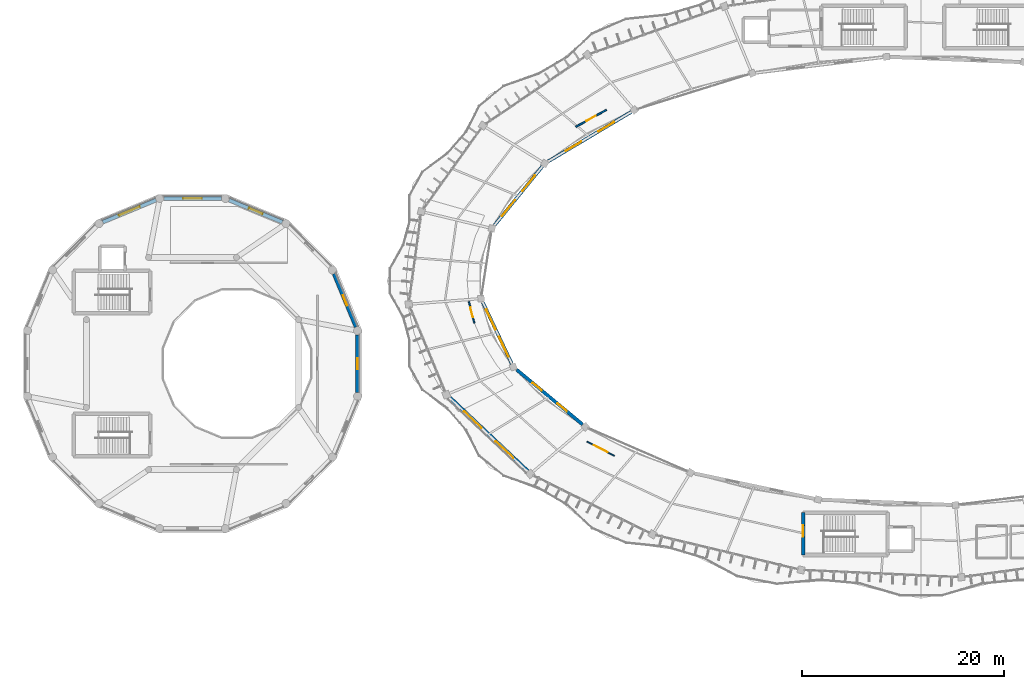
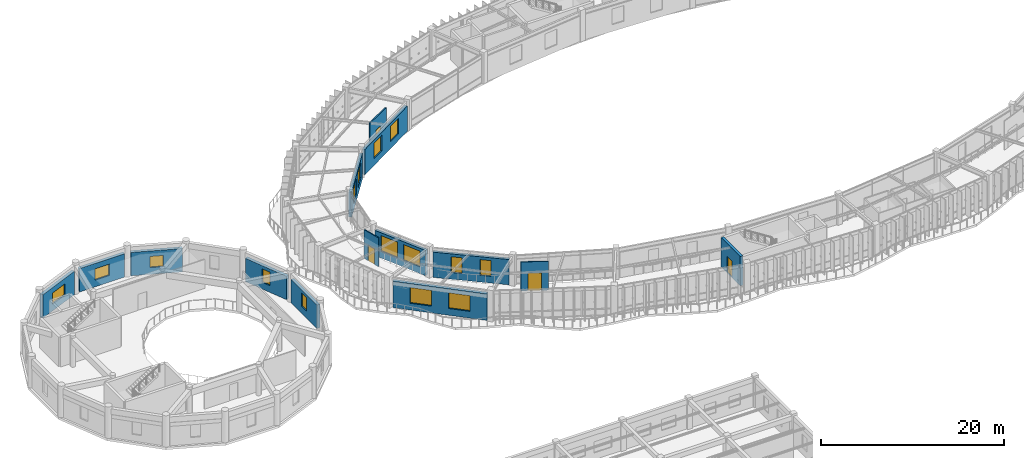
# One storey, part 114 of 138: 15 windows, 14 walls, 4 doors, 19 openings.
"""IFC4 building model written with IfcOpenShell, lengths in metres."""

import ifcopenshell
import ifcopenshell.guid

model = None  # the IFC model being written
_history = None  # IfcOwnerHistory: only IFC2X3 demands one
_inside = {}  # id of a spatial element -> (the spatial element, [elements in it])
_under = {}  # id of a project, library or spatial element -> (it, [spatial elements below it])
_declared = {}  # id of a project -> (the project, [libraries it declares])
_typed = {}  # id of a type object -> (the type object, [elements of that type])
_made_of = {}  # id of a material, layer set ... -> (it, [elements and type objects made of it])


def new_model(schema):
    """Start an empty IFC model of exactly this schema.

    Asked for "IFC4X3", IfcOpenShell would pick the latest addendum, in which some entities
    have other attributes; the version numbers below select the first issue.
    IFC2X3 requires an IfcOwnerHistory on every rooted entity: one is made here for all.
    """
    global model, _history
    if schema == "IFC4X3":
        model = ifcopenshell.file(schema_version=(4, 3, 0, 0))
    else:
        model = ifcopenshell.file(schema=schema)
    _inside.clear()
    _under.clear()
    _declared.clear()
    _typed.clear()
    _made_of.clear()
    _history = None
    if model.schema == "IFC2X3":
        org = make("IfcOrganization", Name="unknown")
        user = make(
            "IfcPersonAndOrganization",
            ThePerson=make("IfcPerson", FamilyName="unknown"),
            TheOrganization=org,
        )
        app = make(
            "IfcApplication",
            ApplicationDeveloper=org,
            Version="unknown",
            ApplicationFullName="unknown",
            ApplicationIdentifier="unknown",
        )
        _history = make(
            "IfcOwnerHistory",
            OwningUser=user,
            OwningApplication=app,
            ChangeAction="ADDED",
            CreationDate=0,
        )
    return model


def make(cls, **values):
    """One entity of the class cls with the attributes given. An attribute that is None is left unset."""
    return model.create_entity(
        cls, **{name: value for name, value in values.items() if value is not None}
    )


def rooted(cls, **values):
    """An entity with a GlobalId (a new one), such as an element, a storey or a relation."""
    return make(cls, GlobalId=ifcopenshell.guid.new(), OwnerHistory=_history, **values)


def si_unit(unit_type, name, prefix=None):
    """IfcSIUnit, for example si_unit("LENGTHUNIT", "METRE", prefix="MILLI")."""
    return make("IfcSIUnit", UnitType=unit_type, Prefix=prefix, Name=name)


def assignment(units):
    """IfcUnitAssignment: the units of a project."""
    return None if units is None else make("IfcUnitAssignment", Units=units)


def point(xyz):
    """IfcCartesianPoint."""
    return None if xyz is None else make("IfcCartesianPoint", Coordinates=xyz)


def direction(xyz):
    """IfcDirection."""
    return None if xyz is None else make("IfcDirection", DirectionRatios=xyz)


def frame(location, z_axis=None, x_axis=None):
    """IfcAxis2Placement3D, a coordinate frame: its origin and axes. An axis left out is left unset."""
    return make(
        "IfcAxis2Placement3D",
        Location=point(location),
        Axis=direction(z_axis),
        RefDirection=direction(x_axis),
    )


def frame_2d(location, x_axis=None):
    """IfcAxis2Placement2D, a coordinate frame in the plane: its origin and x axis."""
    return make(
        "IfcAxis2Placement2D", Location=point(location), RefDirection=direction(x_axis)
    )


def origin():
    """The frame at (0, 0, 0) with its axes left unset."""
    return frame((0.0, 0.0, 0.0))


def place(relative_to, where):
    """IfcLocalPlacement: puts the frame where relative to a parent placement (None: the world)."""
    return make(
        "IfcLocalPlacement", PlacementRelTo=relative_to, RelativePlacement=where
    )


def context(
    kind, dimensions, precision=None, world=None, true_north=None, identifier=None
):
    """IfcGeometricRepresentationContext, for example the 3D "Model" context."""
    return make(
        "IfcGeometricRepresentationContext",
        ContextIdentifier=identifier,
        ContextType=kind,
        CoordinateSpaceDimension=dimensions,
        Precision=precision,
        WorldCoordinateSystem=world,
        TrueNorth=true_north,
    )


def subcontext(parent, identifier, kind, view, scale=None):
    """IfcGeometricRepresentationSubContext, for example "Body" below "Model"."""
    return make(
        "IfcGeometricRepresentationSubContext",
        ContextIdentifier=identifier,
        ContextType=kind,
        ParentContext=parent,
        TargetScale=scale,
        TargetView=view,
    )


def project(units=None, contexts=None):
    """IfcProject with its units and contexts."""
    return rooted(
        "IfcProject",
        Name="project",
        RepresentationContexts=contexts,
        UnitsInContext=assignment(units),
    )


def spatial(cls, under=None, at=None, **own):
    """A site, building, storey or space (cls), placed at a placement, below another one or the project."""
    s = rooted(cls, ObjectPlacement=at, **own)
    if under is not None:
        _under.setdefault(under.id(), (under, []))[1].append(s)
    return s


def profile(cls, at=None, kind="AREA", **sizes):
    """A parametric profile (cls). Its sizes go by their IFC names, for example OverallWidth=200.0."""
    return make(cls, ProfileType=kind, Position=at, **sizes)


def rectangle(**sizes):
    """IfcRectangleProfileDef."""
    return profile("IfcRectangleProfileDef", **sizes)


def extrude(swept, where, along, depth):
    """IfcExtrudedAreaSolid: the profile swept, set in the frame where, extruded along a direction by depth."""
    return make(
        "IfcExtrudedAreaSolid",
        SweptArea=swept,
        Position=where,
        ExtrudedDirection=direction(along),
        Depth=depth,
    )


def shape(context_of_items, identifier, shape_type, items):
    """IfcShapeRepresentation: the items that make up one representation, for example the "Body"."""
    return make(
        "IfcShapeRepresentation",
        ContextOfItems=context_of_items,
        RepresentationIdentifier=identifier,
        RepresentationType=shape_type,
        Items=items,
    )


def material(Name=None, Category=None):
    """IfcMaterial."""
    return make("IfcMaterial", Name=Name, Category=Category)


def layer(
    of_material, thickness, ventilated=None, Name=None, Category=None, Priority=None
):
    """IfcMaterialLayer: one layer of a wall or slab, of a material (None: an air gap)."""
    return make(
        "IfcMaterialLayer",
        Material=of_material,
        LayerThickness=thickness,
        IsVentilated=ventilated,
        Name=Name,
        Category=Category,
        Priority=Priority,
    )


def layer_set(layers, Name=None):
    """IfcMaterialLayerSet."""
    return make("IfcMaterialLayerSet", MaterialLayers=layers, LayerSetName=Name)


def made_of(thing, what):
    """Note that an element or type object is made of a material, layer set ...; save() writes the relation."""
    if what is not None:
        _made_of.setdefault(what.id(), (what, []))[1].append(thing)
    return thing


def type_object(cls, material=None, **own):
    """A type object (cls), such as IfcWallType, which elements share."""
    return made_of(rooted(cls, **own), material)


def element(
    cls,
    number,
    at=None,
    inside=None,
    cuts=None,
    type_object=None,
    material=None,
    context=None,
    identifier="Body",
    shape_type=None,
    held_by="IfcProductDefinitionShape",
    body=None,
    shapes=None,
    **own,
):
    """One element of the class cls, such as IfcWall. Its Tag is "e" and its number.

    at: its placement. inside: the storey or other place that contains it. cuts: it is an
    opening in that element (IfcRelVoidsElement). A single representation is given by context,
    identifier, shape_type and body (its items); several are given by shapes. held_by: the class
    of the entity that holds the representations. save() writes the other relations.
    """
    e = rooted(cls, Tag="e%d" % number, ObjectPlacement=at, **own)
    if body is not None:
        shapes = [shape(context, identifier, shape_type, body)]
    if shapes is not None:
        e.Representation = make(held_by, Representations=shapes)
    if inside is not None:
        _inside.setdefault(inside.id(), (inside, []))[1].append(e)
    if cuts is not None:
        rooted(
            "IfcRelVoidsElement", RelatingBuildingElement=cuts, RelatedOpeningElement=e
        )
    if type_object is not None:
        _typed.setdefault(type_object.id(), (type_object, []))[1].append(e)
    return made_of(e, material)


def fill(opening, filler):
    """IfcRelFillsElement: the door or window that sits in an opening."""
    return rooted(
        "IfcRelFillsElement",
        RelatingOpeningElement=opening,
        RelatedBuildingElement=filler,
    )


def aggregate(whole, parts):
    """IfcRelAggregates: a whole, such as a stair, and the parts it consists of."""
    return rooted("IfcRelAggregates", RelatingObject=whole, RelatedObjects=parts)


def save(model, path):
    """Write the relations noted so far, then the file.

    IfcRelAggregates (storeys below a building ...), IfcRelContainedInSpatialStructure (elements
    in a storey), IfcRelDefinesByType, IfcRelAssociatesMaterial and IfcRelDeclares: one each for
    every whole, place, type object, material and project.
    """
    for whole, parts in _under.values():
        aggregate(whole, parts)
    for where, things in _inside.values():
        rooted(
            "IfcRelContainedInSpatialStructure",
            RelatedElements=things,
            RelatingStructure=where,
        )
    for kind, things in _typed.values():
        rooted("IfcRelDefinesByType", RelatedObjects=things, RelatingType=kind)
    for what, things in _made_of.values():
        rooted("IfcRelAssociatesMaterial", RelatedObjects=things, RelatingMaterial=what)
    for by, libraries in _declared.values():
        rooted("IfcRelDeclares", RelatingContext=by, RelatedDefinitions=libraries)
    model.write(path)


model = new_model("IFC4")

# Units and contexts
model_context = context("Model", 3, precision=1e-05, world=origin(), true_north=direction((0.0, 1.0)))
body_context = subcontext(model_context, "Body", "Model", "MODEL_VIEW")
ifc_project = project(units=[si_unit("LENGTHUNIT", "METRE"), si_unit("AREAUNIT", "SQUARE_METRE"), si_unit("VOLUMEUNIT", "CUBIC_METRE"), si_unit("PLANEANGLEUNIT", "RADIAN"), si_unit("MASSUNIT", "GRAM", prefix="KILO"), si_unit("THERMODYNAMICTEMPERATUREUNIT", "KELVIN"), si_unit("POWERUNIT", "WATT")], contexts=[model_context])

# Site, building, storey
site_placement = place(None, origin())
site = spatial("IfcSite", under=ifc_project, at=site_placement, CompositionType="ELEMENT")
building_placement = place(site_placement, origin())
building = spatial("IfcBuilding", under=site, at=building_placement, Name="Darbajah Civic Hall", CompositionType="ELEMENT")
storey_placement = place(building_placement, frame((0.0, 0.0, 9.60009765625)))
storey = spatial("IfcBuildingStorey", under=building, at=storey_placement, Name="L02", CompositionType="ELEMENT", Elevation=9.60009765625)

# Wall, opening, door
ifc_material_1 = material(Name="Concrete C50/60", Category="concrete")
ifc_layer_1 = layer(ifc_material_1, 0.35009765625, Name="Concrete C50/60")
ifc_layer_set_1 = layer_set([ifc_layer_1], Name="Concrete C50/60")
wall_type_1 = type_object("IfcWallType", Name="Core Shear Wall 350mm", PredefinedType="SHEAR", material=ifc_layer_set_1)
wall_1_placement = place(storey_placement, frame((77.39990234375, 66.800048828125, 0.0), z_axis=(0.0, 0.0, 1.0), x_axis=(0.0, -1.0, 0.0)))
wall_1 = element("IfcWall", 1, at=wall_1_placement, inside=storey, type_object=wall_type_1, Name="L02 core C03 shear wall W", PredefinedType="SHEAR", context=body_context, shape_type="SweptSolid", body=[
    extrude(rectangle(XDim=4.199951171875, YDim=0.35009765625, at=frame_2d((2.10009765625, 0.0))), origin(), (0.0, 0.0, 1.0), 3.919921875),
])
opening_1_placement = place(wall_1_placement, frame((1.25, 0.0, 0.0)))
opening_1 = element("IfcOpeningElement", 2, at=opening_1_placement, cuts=wall_1, Name="Opening SD-0045", PredefinedType="OPENING", context=body_context, shape_type="SweptSolid", body=[
    extrude(rectangle(XDim=1.14990234375, YDim=2.199951171875, at=frame_2d((0.574951171875, 1.10009765625))), frame((0.0, 0.18505859375, 0.0), z_axis=(0.0, -1.0, 0.0), x_axis=(1.0, 0.0, 0.0)), (0.0, 0.0, 1.0), 0.3701171875),
])
ifc_material_2 = material(Name="Steel Rated Core Door", Category="steel")
door_type_1 = type_object("IfcDoorType", Name="Interior Door 1150x2200", OperationType="NOTDEFINED", PredefinedType="DOOR", material=ifc_material_2)
door_1_placement = place(opening_1_placement, origin())
door_1 = element("IfcDoor", 3, at=door_1_placement, inside=storey, type_object=door_type_1, Name="L02 stair ST03 fire door SD-0045", OperationType="SINGLE_SWING_RIGHT", OverallHeight=2.199951171875, OverallWidth=1.14990234375, PredefinedType="DOOR", context=body_context, shape_type="SweptSolid", body=[
    extrude(rectangle(XDim=1.14990234375, YDim=2.199951171875, at=frame_2d((0.574951171875, 1.10009765625))), frame((0.0, 0.02490234375, 0.0), z_axis=(0.0, -1.0, 0.0), x_axis=(1.0, 0.0, 0.0)), (0.0, 0.0, 1.0), 0.050048828125),
])
fill(opening_1, door_1)

# Wall, openings, windows
ifc_material_3 = material(Name="Qatari Desert Limestone Ashlar", Category="masonry")
ifc_layer_2 = layer(ifc_material_3, 0.340087890625, Name="Qatari Desert Limestone Ashlar")
ifc_layer_set_2 = layer_set([ifc_layer_2], Name="Qatari Desert Limestone Ashlar")
wall_type_2 = type_object("IfcWallType", Name="Exterior Wall 340mm", PredefinedType="SOLIDWALL", material=ifc_layer_set_2)
wall_2_placement = place(storey_placement, frame((60.330322265625, 106.56396484375, 0.0), z_axis=(0.0, 0.0, 1.0), x_axis=(-0.858963419263, -0.512036956057, 0.0)))
wall_2 = element("IfcWall", 4, at=wall_2_placement, inside=storey, type_object=wall_type_2, Name="L02 exterior wall EW-340", PredefinedType="SOLIDWALL", context=body_context, shape_type="SweptSolid", body=[
    extrude(rectangle(XDim=9.543212890625, YDim=0.340087890625, at=frame_2d((4.771484375, 0.0))), origin(), (0.0, 0.0, 1.0), 3.38671875),
])
opening_2_placement = place(wall_2_placement, frame((1.981201171875, 0.0, 0.89990234375)))
opening_2 = element("IfcOpeningElement", 5, at=opening_2_placement, cuts=wall_2, Name="Opening WN-05", PredefinedType="OPENING", context=body_context, shape_type="SweptSolid", body=[
    extrude(rectangle(XDim=1.800048828125, YDim=2.10009765625, at=frame_2d((0.89990234375, 1.050048828125))), frame((0.0, 0.179931640625, 0.0), z_axis=(0.0, -1.0, 0.0), x_axis=(1.0, 0.0, 0.0)), (0.0, 0.0, 1.0), 0.360107421875),
])
opening_3_placement = place(wall_2_placement, frame((5.76220703125, 0.0, 0.89990234375)))
opening_3 = element("IfcOpeningElement", 6, at=opening_3_placement, cuts=wall_2, Name="Opening WN-05", PredefinedType="OPENING", context=body_context, shape_type="SweptSolid", body=[
    extrude(rectangle(XDim=1.800048828125, YDim=2.10009765625, at=frame_2d((0.89990234375, 1.050048828125))), frame((0.0, 0.179931640625, 0.0), z_axis=(0.0, -1.0, 0.0), x_axis=(1.0, 0.0, 0.0)), (0.0, 0.0, 1.0), 0.360107421875),
])
ifc_material_4 = material(Name="Low-E Solar Control Double Glazing", Category="glass")
window_type_1 = type_object("IfcWindowType", Name="Facade Window 1800x2100", PartitioningType="DOUBLE_PANEL_VERTICAL", PredefinedType="WINDOW", material=ifc_material_4)
window_1_placement = place(opening_2_placement, origin())
window_1 = element("IfcWindow", 7, at=window_1_placement, inside=storey, type_object=window_type_1, Name="L02 facade window WN-05", OverallHeight=2.10009765625, OverallWidth=1.800048828125, PartitioningType="SINGLE_PANEL", PredefinedType="WINDOW", context=body_context, shape_type="SweptSolid", body=[
    extrude(rectangle(XDim=1.800048828125, YDim=2.10009765625, at=frame_2d((0.89990234375, 1.050048828125))), frame((0.0, 0.030029296875, 0.0), z_axis=(0.0, -1.0, 0.0), x_axis=(1.0, 0.0, 0.0)), (0.0, 0.0, 1.0), 0.06005859375),
])
fill(opening_2, window_1)
window_2_placement = place(opening_3_placement, origin())
window_2 = element("IfcWindow", 8, at=window_2_placement, inside=storey, type_object=window_type_1, Name="L02 facade window WN-05", OverallHeight=2.10009765625, OverallWidth=1.800048828125, PartitioningType="SINGLE_PANEL", PredefinedType="WINDOW", context=body_context, shape_type="SweptSolid", body=[
    extrude(rectangle(XDim=1.800048828125, YDim=2.10009765625, at=frame_2d((0.89990234375, 1.050048828125))), frame((0.0, 0.030029296875, 0.0), z_axis=(0.0, -1.0, 0.0), x_axis=(1.0, 0.0, 0.0)), (0.0, 0.0, 1.0), 0.06005859375),
])
fill(opening_3, window_2)

wall_3_placement = place(storey_placement, frame((51.522705078125, 101.166748046875, 0.0), z_axis=(0.0, 0.0, 1.0), x_axis=(-0.631103056823, -0.775698995531, 0.0)))
wall_3 = element("IfcWall", 9, at=wall_3_placement, inside=storey, type_object=wall_type_2, Name="L02 exterior wall EW-340", PredefinedType="SOLIDWALL", context=body_context, shape_type="SweptSolid", body=[
    extrude(rectangle(XDim=7.5068359375, YDim=0.340087890625, at=frame_2d((3.75341796875, 0.0))), origin(), (0.0, 0.0, 1.0), 3.38671875),
])
opening_4_placement = place(wall_3_placement, frame((1.1689453125, 0.0, 0.89990234375)))
opening_4 = element("IfcOpeningElement", 10, at=opening_4_placement, cuts=wall_3, Name="Opening WN-06", PredefinedType="OPENING", context=body_context, shape_type="SweptSolid", body=[
    extrude(rectangle(XDim=2.0, YDim=2.10009765625, at=frame_2d((1.0, 1.050048828125))), frame((0.0, 0.179931640625, 0.0), z_axis=(0.0, -1.0, 0.0), x_axis=(1.0, 0.0, 0.0)), (0.0, 0.0, 1.0), 0.360107421875),
])
opening_5_placement = place(wall_3_placement, frame((4.337890625, 0.0, 0.89990234375)))
opening_5 = element("IfcOpeningElement", 11, at=opening_5_placement, cuts=wall_3, Name="Opening WN-06", PredefinedType="OPENING", context=body_context, shape_type="SweptSolid", body=[
    extrude(rectangle(XDim=2.0, YDim=2.10009765625, at=frame_2d((1.0, 1.050048828125))), frame((0.0, 0.179931640625, 0.0), z_axis=(0.0, -1.0, 0.0), x_axis=(1.0, 0.0, 0.0)), (0.0, 0.0, 1.0), 0.360107421875),
])
window_type_2 = type_object("IfcWindowType", Name="Facade Window 2000x2100", PartitioningType="DOUBLE_PANEL_VERTICAL", PredefinedType="WINDOW", material=ifc_material_4)
window_3_placement = place(opening_4_placement, origin())
window_3 = element("IfcWindow", 12, at=window_3_placement, inside=storey, type_object=window_type_2, Name="L02 facade window WN-06", OverallHeight=2.10009765625, OverallWidth=2.0, PartitioningType="SINGLE_PANEL", PredefinedType="WINDOW", context=body_context, shape_type="SweptSolid", body=[
    extrude(rectangle(XDim=2.0, YDim=2.10009765625, at=frame_2d((1.0, 1.050048828125))), frame((0.0, 0.030029296875, 0.0), z_axis=(0.0, -1.0, 0.0), x_axis=(1.0, 0.0, 0.0)), (0.0, 0.0, 1.0), 0.06005859375),
])
fill(opening_4, window_3)
window_4_placement = place(opening_5_placement, origin())
window_4 = element("IfcWindow", 13, at=window_4_placement, inside=storey, type_object=window_type_2, Name="L02 facade window WN-06", OverallHeight=2.10009765625, OverallWidth=2.0, PartitioningType="SINGLE_PANEL", PredefinedType="WINDOW", context=body_context, shape_type="SweptSolid", body=[
    extrude(rectangle(XDim=2.0, YDim=2.10009765625, at=frame_2d((1.0, 1.050048828125))), frame((0.0, 0.030029296875, 0.0), z_axis=(0.0, -1.0, 0.0), x_axis=(1.0, 0.0, 0.0)), (0.0, 0.0, 1.0), 0.06005859375),
])
fill(opening_5, window_4)

wall_4_placement = place(storey_placement, frame((45.614501953125, 87.66943359375, 0.0), z_axis=(0.0, 0.0, 1.0), x_axis=(0.426512409202, -0.904481710593, 0.0)))
wall_4 = element("IfcWall", 14, at=wall_4_placement, inside=storey, type_object=wall_type_2, Name="L02 exterior wall EW-340", PredefinedType="SOLIDWALL", context=body_context, shape_type="SweptSolid", body=[
    extrude(rectangle(XDim=6.7373046875, YDim=0.340087890625, at=frame_2d((3.36865234375, 0.0))), origin(), (0.0, 0.0, 1.0), 3.38671875),
])
opening_6_placement = place(wall_4_placement, frame((0.779052734375, 0.0, 0.89990234375)))
opening_6 = element("IfcOpeningElement", 15, at=opening_6_placement, cuts=wall_4, Name="Opening WN-07", PredefinedType="OPENING", context=body_context, shape_type="SweptSolid", body=[
    extrude(rectangle(XDim=2.199951171875, YDim=2.10009765625, at=frame_2d((1.10009765625, 1.050048828125))), frame((0.0, 0.179931640625, 0.0), z_axis=(0.0, -1.0, 0.0), x_axis=(1.0, 0.0, 0.0)), (0.0, 0.0, 1.0), 0.360107421875),
])
opening_7_placement = place(wall_4_placement, frame((3.75830078125, 0.0, 0.89990234375)))
opening_7 = element("IfcOpeningElement", 16, at=opening_7_placement, cuts=wall_4, Name="Opening WN-07", PredefinedType="OPENING", context=body_context, shape_type="SweptSolid", body=[
    extrude(rectangle(XDim=2.199951171875, YDim=2.10009765625, at=frame_2d((1.10009765625, 1.050048828125))), frame((0.0, 0.179931640625, 0.0), z_axis=(0.0, -1.0, 0.0), x_axis=(1.0, 0.0, 0.0)), (0.0, 0.0, 1.0), 0.360107421875),
])
window_type_3 = type_object("IfcWindowType", Name="Facade Window 2200x2100", PartitioningType="DOUBLE_PANEL_VERTICAL", PredefinedType="WINDOW", material=ifc_material_4)
window_5_placement = place(opening_6_placement, origin())
window_5 = element("IfcWindow", 17, at=window_5_placement, inside=storey, type_object=window_type_3, Name="L02 facade window WN-07", OverallHeight=2.10009765625, OverallWidth=2.199951171875, PartitioningType="SINGLE_PANEL", PredefinedType="WINDOW", context=body_context, shape_type="SweptSolid", body=[
    extrude(rectangle(XDim=2.199951171875, YDim=2.10009765625, at=frame_2d((1.10009765625, 1.050048828125))), frame((0.0, 0.030029296875, 0.0), z_axis=(0.0, -1.0, 0.0), x_axis=(1.0, 0.0, 0.0)), (0.0, 0.0, 1.0), 0.06005859375),
])
fill(opening_6, window_5)
window_6_placement = place(opening_7_placement, origin())
window_6 = element("IfcWindow", 18, at=window_6_placement, inside=storey, type_object=window_type_3, Name="L02 facade window WN-07", OverallHeight=2.10009765625, OverallWidth=2.199951171875, PartitioningType="SINGLE_PANEL", PredefinedType="WINDOW", context=body_context, shape_type="SweptSolid", body=[
    extrude(rectangle(XDim=2.199951171875, YDim=2.10009765625, at=frame_2d((1.10009765625, 1.050048828125))), frame((0.0, 0.030029296875, 0.0), z_axis=(0.0, -1.0, 0.0), x_axis=(1.0, 0.0, 0.0)), (0.0, 0.0, 1.0), 0.06005859375),
])
fill(opening_7, window_6)

wall_5_placement = place(storey_placement, frame((48.973388671875, 80.984375, 0.0), z_axis=(0.0, 0.0, 1.0), x_axis=(0.769165583881, -0.639049532175, 0.0)))
wall_5 = element("IfcWall", 19, at=wall_5_placement, inside=storey, type_object=wall_type_2, Name="L02 exterior wall EW-340", PredefinedType="SOLIDWALL", context=body_context, shape_type="SweptSolid", body=[
    extrude(rectangle(XDim=8.490478515625, YDim=0.340087890625, at=frame_2d((4.2451171875, 0.0))), origin(), (0.0, 0.0, 1.0), 3.38671875),
])
opening_8_placement = place(wall_5_placement, frame((2.0302734375, 0.0, 0.89990234375)))
opening_8 = element("IfcOpeningElement", 20, at=opening_8_placement, cuts=wall_5, Name="Opening WN-01", PredefinedType="OPENING", context=body_context, shape_type="SweptSolid", body=[
    extrude(rectangle(XDim=1.199951171875, YDim=2.10009765625, at=frame_2d((0.60009765625, 1.050048828125))), frame((0.0, 0.179931640625, 0.0), z_axis=(0.0, -1.0, 0.0), x_axis=(1.0, 0.0, 0.0)), (0.0, 0.0, 1.0), 0.360107421875),
])
opening_9_placement = place(wall_5_placement, frame((5.26025390625, 0.0, 0.89990234375)))
opening_9 = element("IfcOpeningElement", 21, at=opening_9_placement, cuts=wall_5, Name="Opening WN-01", PredefinedType="OPENING", context=body_context, shape_type="SweptSolid", body=[
    extrude(rectangle(XDim=1.199951171875, YDim=2.10009765625, at=frame_2d((0.60009765625, 1.050048828125))), frame((0.0, 0.179931640625, 0.0), z_axis=(0.0, -1.0, 0.0), x_axis=(1.0, 0.0, 0.0)), (0.0, 0.0, 1.0), 0.360107421875),
])
window_type_4 = type_object("IfcWindowType", Name="Facade Window 1200x2100", PartitioningType="SINGLE_PANEL", PredefinedType="WINDOW", material=ifc_material_4)
window_7_placement = place(opening_8_placement, origin())
window_7 = element("IfcWindow", 22, at=window_7_placement, inside=storey, type_object=window_type_4, Name="L02 facade window WN-01", OverallHeight=2.10009765625, OverallWidth=1.199951171875, PartitioningType="SINGLE_PANEL", PredefinedType="WINDOW", context=body_context, shape_type="SweptSolid", body=[
    extrude(rectangle(XDim=1.199951171875, YDim=2.10009765625, at=frame_2d((0.60009765625, 1.050048828125))), frame((0.0, 0.030029296875, 0.0), z_axis=(0.0, -1.0, 0.0), x_axis=(1.0, 0.0, 0.0)), (0.0, 0.0, 1.0), 0.06005859375),
])
fill(opening_8, window_7)
window_8_placement = place(opening_9_placement, origin())
window_8 = element("IfcWindow", 23, at=window_8_placement, inside=storey, type_object=window_type_4, Name="L02 facade window WN-01", OverallHeight=2.10009765625, OverallWidth=1.199951171875, PartitioningType="SINGLE_PANEL", PredefinedType="WINDOW", context=body_context, shape_type="SweptSolid", body=[
    extrude(rectangle(XDim=1.199951171875, YDim=2.10009765625, at=frame_2d((0.60009765625, 1.050048828125))), frame((0.0, 0.030029296875, 0.0), z_axis=(0.0, -1.0, 0.0), x_axis=(1.0, 0.0, 0.0)), (0.0, 0.0, 1.0), 0.06005859375),
])
fill(opening_9, window_8)

# Wall, opening, window
ifc_material_5 = material(Name="Red Dholpur Sandstone Cladding", Category="masonry")
ifc_layer_3 = layer(ifc_material_5, 0.3798828125, Name="Red Dholpur Sandstone Cladding")
ifc_layer_set_3 = layer_set([ifc_layer_3], Name="Red Dholpur Sandstone Cladding")
wall_type_3 = type_object("IfcWallType", Name="Exterior Wall 380mm", PredefinedType="SOLIDWALL", material=ifc_layer_set_3)
wall_6_placement = place(storey_placement, frame((33.026123046875, 85.2294921875, 0.0), z_axis=(0.0, 0.0, 1.0), x_axis=(-0.382681441383, 0.923880357201, 0.0)))
wall_6 = element("IfcWall", 24, at=wall_6_placement, inside=storey, type_object=wall_type_3, Name="L02 exterior wall EW-380", PredefinedType="SOLIDWALL", context=body_context, shape_type="SweptSolid", body=[
    extrude(rectangle(XDim=5.71240234375, YDim=0.3798828125, at=frame_2d((2.856201171875, 0.0))), origin(), (0.0, 0.0, 1.0), 3.1298828125),
])
opening_10_placement = place(wall_6_placement, frame((2.30615234375, 0.0, 0.89990234375)))
opening_10 = element("IfcOpeningElement", 25, at=opening_10_placement, cuts=wall_6, Name="Opening WN-17", PredefinedType="OPENING", context=body_context, shape_type="SweptSolid", body=[
    extrude(rectangle(XDim=1.10009765625, YDim=1.800048828125, at=frame_2d((0.550048828125, 0.89990234375))), frame((0.0, 0.199951171875, 0.0), z_axis=(0.0, -1.0, 0.0), x_axis=(1.0, 0.0, 0.0)), (0.0, 0.0, 1.0), 0.39990234375),
])
window_type_5 = type_object("IfcWindowType", Name="Facade Window 1100x1800", PartitioningType="SINGLE_PANEL", PredefinedType="WINDOW", material=ifc_material_4)
window_9_placement = place(opening_10_placement, origin())
window_9 = element("IfcWindow", 26, at=window_9_placement, inside=storey, type_object=window_type_5, Name="L02 facade window WN-17", OverallHeight=1.800048828125, OverallWidth=1.10009765625, PartitioningType="SINGLE_PANEL", PredefinedType="WINDOW", context=body_context, shape_type="SweptSolid", body=[
    extrude(rectangle(XDim=1.10009765625, YDim=1.800048828125, at=frame_2d((0.550048828125, 0.89990234375))), frame((0.0, 0.030029296875, 0.0), z_axis=(0.0, -1.0, 0.0), x_axis=(1.0, 0.0, 0.0)), (0.0, 0.0, 1.0), 0.06005859375),
])
fill(opening_10, window_9)

wall_7_placement = place(storey_placement, frame((25.70703125, 95.64013671875, 0.0), z_axis=(0.0, 0.0, 1.0), x_axis=(-0.923874097972, 0.382696552241, 0.0)))
wall_7 = element("IfcWall", 27, at=wall_7_placement, inside=storey, type_object=wall_type_3, Name="L02 exterior wall EW-380", PredefinedType="SOLIDWALL", context=body_context, shape_type="SweptSolid", body=[
    extrude(rectangle(XDim=5.712158203125, YDim=0.3798828125, at=frame_2d((2.85595703125, 0.0))), origin(), (0.0, 0.0, 1.0), 3.1298828125),
])
opening_11_placement = place(wall_7_placement, frame((2.131103515625, 0.0, 0.89990234375)))
opening_11 = element("IfcOpeningElement", 28, at=opening_11_placement, cuts=wall_7, Name="Opening WN-25", PredefinedType="OPENING", context=body_context, shape_type="SweptSolid", body=[
    extrude(rectangle(XDim=1.449951171875, YDim=1.5, at=frame_2d((0.72509765625, 0.75))), frame((0.0, 0.199951171875, 0.0), z_axis=(0.0, -1.0, 0.0), x_axis=(1.0, 0.0, 0.0)), (0.0, 0.0, 1.0), 0.39990234375),
])
window_type_6 = type_object("IfcWindowType", Name="Facade Window 1450x1500", PartitioningType="SINGLE_PANEL", PredefinedType="WINDOW", material=ifc_material_4)
window_10_placement = place(opening_11_placement, origin())
window_10 = element("IfcWindow", 29, at=window_10_placement, inside=storey, type_object=window_type_6, Name="L02 facade window WN-25", OverallHeight=1.5, OverallWidth=1.449951171875, PartitioningType="SINGLE_PANEL", PredefinedType="WINDOW", context=body_context, shape_type="SweptSolid", body=[
    extrude(rectangle(XDim=1.449951171875, YDim=1.5, at=frame_2d((0.72509765625, 0.75))), frame((0.0, 0.030029296875, 0.0), z_axis=(0.0, -1.0, 0.0), x_axis=(1.0, 0.0, 0.0)), (0.0, 0.0, 1.0), 0.06005859375),
])
fill(opening_11, window_10)

wall_8_placement = place(storey_placement, frame((19.65625, 97.97998046875, 0.0), z_axis=(0.0, 0.0, 1.0), x_axis=(-1.0, 0.0, 0.0)))
wall_8 = element("IfcWall", 30, at=wall_8_placement, inside=storey, type_object=wall_type_3, Name="L02 exterior wall EW-380", PredefinedType="SOLIDWALL", context=body_context, shape_type="SweptSolid", body=[
    extrude(rectangle(XDim=5.71240234375, YDim=0.3798828125, at=frame_2d((2.856201171875, 0.0))), origin(), (0.0, 0.0, 1.0), 3.1298828125),
])
opening_12_placement = place(wall_8_placement, frame((1.93115234375, 0.0, 0.89990234375)))
opening_12 = element("IfcOpeningElement", 31, at=opening_12_placement, cuts=wall_8, Name="Opening WN-26", PredefinedType="OPENING", context=body_context, shape_type="SweptSolid", body=[
    extrude(rectangle(XDim=1.85009765625, YDim=1.5, at=frame_2d((0.925048828125, 0.75))), frame((0.0, 0.199951171875, 0.0), z_axis=(0.0, -1.0, 0.0), x_axis=(1.0, 0.0, 0.0)), (0.0, 0.0, 1.0), 0.39990234375),
])
window_type_7 = type_object("IfcWindowType", Name="Facade Window 1850x1500", PartitioningType="DOUBLE_PANEL_VERTICAL", PredefinedType="WINDOW", material=ifc_material_4)
window_11_placement = place(opening_12_placement, origin())
window_11 = element("IfcWindow", 32, at=window_11_placement, inside=storey, type_object=window_type_7, Name="L02 facade window WN-26", OverallHeight=1.5, OverallWidth=1.85009765625, PartitioningType="SINGLE_PANEL", PredefinedType="WINDOW", context=body_context, shape_type="SweptSolid", body=[
    extrude(rectangle(XDim=1.85009765625, YDim=1.5, at=frame_2d((0.925048828125, 0.75))), frame((0.0, 0.030029296875, 0.0), z_axis=(0.0, -1.0, 0.0), x_axis=(1.0, 0.0, 0.0)), (0.0, 0.0, 1.0), 0.06005859375),
])
fill(opening_12, window_11)

wall_9_placement = place(storey_placement, frame((13.17041015625, 97.826171875, 0.0), z_axis=(0.0, 0.0, 1.0), x_axis=(-0.923880357201, -0.382681441383, 0.0)))
wall_9 = element("IfcWall", 33, at=wall_9_placement, inside=storey, type_object=wall_type_3, Name="L02 exterior wall EW-380", PredefinedType="SOLIDWALL", context=body_context, shape_type="SweptSolid", body=[
    extrude(rectangle(XDim=5.71240234375, YDim=0.3798828125, at=frame_2d((2.856201171875, 0.0))), origin(), (0.0, 0.0, 1.0), 3.1298828125),
])
opening_13_placement = place(wall_9_placement, frame((1.731201171875, 0.0, 0.89990234375)))
opening_13 = element("IfcOpeningElement", 34, at=opening_13_placement, cuts=wall_9, Name="Opening WN-27", PredefinedType="OPENING", context=body_context, shape_type="SweptSolid", body=[
    extrude(rectangle(XDim=2.25, YDim=1.5, at=frame_2d((1.125, 0.75))), frame((0.0, 0.199951171875, 0.0), z_axis=(0.0, -1.0, 0.0), x_axis=(1.0, 0.0, 0.0)), (0.0, 0.0, 1.0), 0.39990234375),
])
window_type_8 = type_object("IfcWindowType", Name="Facade Window 2250x1500", PartitioningType="DOUBLE_PANEL_VERTICAL", PredefinedType="WINDOW", material=ifc_material_4)
window_12_placement = place(opening_13_placement, origin())
window_12 = element("IfcWindow", 35, at=window_12_placement, inside=storey, type_object=window_type_8, Name="L02 facade window WN-27", OverallHeight=1.5, OverallWidth=2.25, PartitioningType="SINGLE_PANEL", PredefinedType="WINDOW", context=body_context, shape_type="SweptSolid", body=[
    extrude(rectangle(XDim=2.25, YDim=1.5, at=frame_2d((1.125, 0.75))), frame((0.0, 0.030029296875, 0.0), z_axis=(0.0, -1.0, 0.0), x_axis=(1.0, 0.0, 0.0)), (0.0, 0.0, 1.0), 0.06005859375),
])
fill(opening_13, window_12)

wall_10_placement = place(storey_placement, frame((33.179931640625, 78.743896484375, 0.0), z_axis=(0.0, 0.0, 1.0), x_axis=(0.0, 1.0, 0.0)))
wall_10 = element("IfcWall", 36, at=wall_10_placement, inside=storey, type_object=wall_type_3, Name="L02 exterior wall EW-380", PredefinedType="SOLIDWALL", context=body_context, shape_type="SweptSolid", body=[
    extrude(rectangle(XDim=5.71240234375, YDim=0.3798828125, at=frame_2d((2.856201171875, 0.0))), origin(), (0.0, 0.0, 1.0), 3.1298828125),
])
opening_14_placement = place(wall_10_placement, frame((2.30615234375, 0.0, 0.89990234375)))
opening_14 = element("IfcOpeningElement", 37, at=opening_14_placement, cuts=wall_10, Name="Opening WN-17", PredefinedType="OPENING", context=body_context, shape_type="SweptSolid", body=[
    extrude(rectangle(XDim=1.10009765625, YDim=1.800048828125, at=frame_2d((0.550048828125, 0.89990234375))), frame((0.0, 0.199951171875, 0.0), z_axis=(0.0, -1.0, 0.0), x_axis=(1.0, 0.0, 0.0)), (0.0, 0.0, 1.0), 0.39990234375),
])
window_13_placement = place(opening_14_placement, origin())
window_13 = element("IfcWindow", 38, at=window_13_placement, inside=storey, type_object=window_type_5, Name="L02 facade window WN-17", OverallHeight=1.800048828125, OverallWidth=1.10009765625, PartitioningType="SINGLE_PANEL", PredefinedType="WINDOW", context=body_context, shape_type="SweptSolid", body=[
    extrude(rectangle(XDim=1.10009765625, YDim=1.800048828125, at=frame_2d((0.550048828125, 0.89990234375))), frame((0.0, 0.030029296875, 0.0), z_axis=(0.0, -1.0, 0.0), x_axis=(1.0, 0.0, 0.0)), (0.0, 0.0, 1.0), 0.06005859375),
])
fill(opening_14, window_13)

# Wall, openings, windows
ifc_layer_4 = layer(ifc_material_3, 0.419921875, Name="Qatari Desert Limestone Ashlar")
ifc_layer_set_4 = layer_set([ifc_layer_4], Name="Qatari Desert Limestone Ashlar")
wall_type_4 = type_object("IfcWallType", Name="Exterior Wall 420mm", PredefinedType="SOLIDWALL", material=ifc_layer_set_4)
wall_11_placement = place(storey_placement, frame((42.320068359375, 78.19189453125, 0.0), z_axis=(0.0, 0.0, 1.0), x_axis=(0.72720643206, -0.686418826352, 0.0)))
wall_11 = element("IfcWall", 39, at=wall_11_placement, inside=storey, type_object=wall_type_4, Name="L02 exterior wall EW-420", PredefinedType="SOLIDWALL", context=body_context, shape_type="SweptSolid", body=[
    extrude(rectangle(XDim=10.612548828125, YDim=0.419921875, at=frame_2d((5.30615234375, 0.0))), origin(), (0.0, 0.0, 1.0), 3.52001953125),
])
opening_15_placement = place(wall_11_placement, frame((1.9375, 0.0, 0.89990234375)))
opening_15 = element("IfcOpeningElement", 40, at=opening_15_placement, cuts=wall_11, Name="Opening WN-08", PredefinedType="OPENING", context=body_context, shape_type="SweptSolid", body=[
    extrude(rectangle(XDim=2.39990234375, YDim=2.10009765625, at=frame_2d((1.199951171875, 1.050048828125))), frame((0.0, 0.219970703125, 0.0), z_axis=(0.0, -1.0, 0.0), x_axis=(1.0, 0.0, 0.0)), (0.0, 0.0, 1.0), 0.43994140625),
])
opening_16_placement = place(wall_11_placement, frame((6.27490234375, 0.0, 0.89990234375)))
opening_16 = element("IfcOpeningElement", 41, at=opening_16_placement, cuts=wall_11, Name="Opening WN-08", PredefinedType="OPENING", context=body_context, shape_type="SweptSolid", body=[
    extrude(rectangle(XDim=2.39990234375, YDim=2.10009765625, at=frame_2d((1.199951171875, 1.050048828125))), frame((0.0, 0.219970703125, 0.0), z_axis=(0.0, -1.0, 0.0), x_axis=(1.0, 0.0, 0.0)), (0.0, 0.0, 1.0), 0.43994140625),
])
window_type_9 = type_object("IfcWindowType", Name="Facade Window 2400x2100", PartitioningType="DOUBLE_PANEL_VERTICAL", PredefinedType="WINDOW", material=ifc_material_4)
window_14_placement = place(opening_15_placement, origin())
window_14 = element("IfcWindow", 42, at=window_14_placement, inside=storey, type_object=window_type_9, Name="L02 facade window WN-08", OverallHeight=2.10009765625, OverallWidth=2.39990234375, PartitioningType="SINGLE_PANEL", PredefinedType="WINDOW", context=body_context, shape_type="SweptSolid", body=[
    extrude(rectangle(XDim=2.39990234375, YDim=2.10009765625, at=frame_2d((1.199951171875, 1.050048828125))), frame((0.0, 0.030029296875, 0.0), z_axis=(0.0, -1.0, 0.0), x_axis=(1.0, 0.0, 0.0)), (0.0, 0.0, 1.0), 0.06005859375),
])
fill(opening_15, window_14)
window_15_placement = place(opening_16_placement, origin())
window_15 = element("IfcWindow", 43, at=window_15_placement, inside=storey, type_object=window_type_9, Name="L02 facade window WN-08", OverallHeight=2.10009765625, OverallWidth=2.39990234375, PartitioningType="SINGLE_PANEL", PredefinedType="WINDOW", context=body_context, shape_type="SweptSolid", body=[
    extrude(rectangle(XDim=2.39990234375, YDim=2.10009765625, at=frame_2d((1.199951171875, 1.050048828125))), frame((0.0, 0.030029296875, 0.0), z_axis=(0.0, -1.0, 0.0), x_axis=(1.0, 0.0, 0.0)), (0.0, 0.0, 1.0), 0.06005859375),
])
fill(opening_16, window_15)

# Wall, opening, door
ifc_material_6 = material(Name="Acoustic Gypsum Partition")
ifc_layer_5 = layer(ifc_material_6, 0.114990234375, Name="Acoustic Gypsum Partition")
ifc_layer_set_5 = layer_set([ifc_layer_5], Name="Acoustic Gypsum Partition")
wall_type_5 = type_object("IfcWallType", Name="Interior Partition 115mm", PredefinedType="PARTITIONING", material=ifc_layer_set_5)
wall_12_placement = place(storey_placement, frame((58.664794921875, 72.43701171875, 0.0), z_axis=(0.0, 0.0, 1.0), x_axis=(-0.886618991438, 0.462500555699, 0.0)))
wall_12 = element("IfcWall", 44, at=wall_12_placement, inside=storey, type_object=wall_type_5, Name="L02 interior partition L02-V1-07", PredefinedType="PARTITIONING", context=body_context, shape_type="SweptSolid", body=[
    extrude(rectangle(XDim=3.0595703125, YDim=0.114990234375, at=frame_2d((1.52978515625, 0.0))), origin(), (0.0, 0.0, 1.0), 3.85986328125),
])
opening_17_placement = place(wall_12_placement, frame((0.77978515625, 0.0, 0.0)))
opening_17 = element("IfcOpeningElement", 45, at=opening_17_placement, cuts=wall_12, Name="Opening D-0202", PredefinedType="OPENING", context=body_context, shape_type="SweptSolid", body=[
    extrude(rectangle(XDim=1.5, YDim=2.35009765625, at=frame_2d((0.75, 1.175048828125))), frame((0.0, 0.0673828125, 0.0), z_axis=(0.0, -1.0, 0.0), x_axis=(1.0, 0.0, 0.0)), (0.0, 0.0, 1.0), 0.135009765625),
])
ifc_material_7 = material(Name="Committee Chamber Double Door")
door_type_2 = type_object("IfcDoorType", Name="Interior Door 1500x2350", OperationType="NOTDEFINED", PredefinedType="DOOR", material=ifc_material_7)
door_2_placement = place(opening_17_placement, origin())
door_2 = element("IfcDoor", 46, at=door_2_placement, inside=storey, type_object=door_type_2, Name="L02 L02-V1-07 door D-0202", OperationType="DOUBLE_DOOR_SINGLE_SWING", OverallHeight=2.35009765625, OverallWidth=1.5, PredefinedType="DOOR", context=body_context, shape_type="SweptSolid", body=[
    extrude(rectangle(XDim=1.5, YDim=2.35009765625, at=frame_2d((0.75, 1.175048828125))), frame((0.0, 0.02490234375, 0.0), z_axis=(0.0, -1.0, 0.0), x_axis=(1.0, 0.0, 0.0)), (0.0, 0.0, 1.0), 0.050048828125),
])
fill(opening_17, door_2)

ifc_material_8 = material(Name="Gypsum Plasterboard on Steel Stud", Category="steel")
ifc_layer_6 = layer(ifc_material_8, 0.135009765625, Name="Gypsum Plasterboard on Steel Stud")
ifc_layer_set_6 = layer_set([ifc_layer_6], Name="Gypsum Plasterboard on Steel Stud")
wall_type_6 = type_object("IfcWallType", Name="Interior Partition 135mm", PredefinedType="PARTITIONING", material=ifc_layer_set_6)
wall_13_placement = place(storey_placement, frame((44.76904296875, 85.609375, 0.0), z_axis=(0.0, 0.0, 1.0), x_axis=(-0.24810123437, 0.96873411084, 0.0)))
wall_13 = element("IfcWall", 47, at=wall_13_placement, inside=storey, type_object=wall_type_6, Name="L02 interior partition L02-V1-06", PredefinedType="PARTITIONING", context=body_context, shape_type="SweptSolid", body=[
    extrude(rectangle(XDim=2.207275390625, YDim=0.135009765625, at=frame_2d((1.103515625, 0.0))), origin(), (0.0, 0.0, 1.0), 3.85986328125),
])
opening_18_placement = place(wall_13_placement, frame((0.603515625, 0.0, 0.0)))
opening_18 = element("IfcOpeningElement", 48, at=opening_18_placement, cuts=wall_13, Name="Opening D-0201", PredefinedType="OPENING", context=body_context, shape_type="SweptSolid", body=[
    extrude(rectangle(XDim=1.0, YDim=2.10009765625, at=frame_2d((0.5, 1.050048828125))), frame((0.0, 0.077392578125, 0.0), z_axis=(0.0, -1.0, 0.0), x_axis=(1.0, 0.0, 0.0)), (0.0, 0.0, 1.0), 0.155029296875),
])
ifc_material_9 = material(Name="Oak Suite Door")
door_type_3 = type_object("IfcDoorType", Name="Interior Door 1000x2100", OperationType="NOTDEFINED", PredefinedType="DOOR", material=ifc_material_9)
door_3_placement = place(opening_18_placement, origin())
door_3 = element("IfcDoor", 49, at=door_3_placement, inside=storey, type_object=door_type_3, Name="L02 L02-V1-06 door D-0201", OperationType="SINGLE_SWING_RIGHT", OverallHeight=2.10009765625, OverallWidth=1.0, PredefinedType="DOOR", context=body_context, shape_type="SweptSolid", body=[
    extrude(rectangle(XDim=1.0, YDim=2.10009765625, at=frame_2d((0.5, 1.050048828125))), frame((0.0, 0.02490234375, 0.0), z_axis=(0.0, -1.0, 0.0), x_axis=(1.0, 0.0, 0.0)), (0.0, 0.0, 1.0), 0.050048828125),
])
fill(opening_18, door_3)

ifc_layer_7 = layer(ifc_material_8, 0.159912109375, Name="Gypsum Plasterboard on Steel Stud")
ifc_layer_set_7 = layer_set([ifc_layer_7], Name="Gypsum Plasterboard on Steel Stud")
wall_type_7 = type_object("IfcWallType", Name="Interior Partition 160mm", PredefinedType="PARTITIONING", material=ifc_layer_set_7)
wall_14_placement = place(storey_placement, frame((54.84375, 105.094482421875, 0.0), z_axis=(0.0, 0.0, 1.0), x_axis=(0.874548858548, 0.484937412468, 0.0)))
wall_14 = element("IfcWall", 50, at=wall_14_placement, inside=storey, type_object=wall_type_7, Name="L02 interior partition L02-V1-05", PredefinedType="PARTITIONING", context=body_context, shape_type="SweptSolid", body=[
    extrude(rectangle(XDim=3.4677734375, YDim=0.159912109375, at=frame_2d((1.73388671875, 0.0))), origin(), (0.0, 0.0, 1.0), 3.85986328125),
])
opening_19_placement = place(wall_14_placement, frame((1.208984375, 0.0, 0.0)))
opening_19 = element("IfcOpeningElement", 51, at=opening_19_placement, cuts=wall_14, Name="Opening D-0200", PredefinedType="OPENING", context=body_context, shape_type="SweptSolid", body=[
    extrude(rectangle(XDim=1.050048828125, YDim=2.14990234375, at=frame_2d((0.52490234375, 1.074951171875))), frame((0.0, 0.08984375, 0.0), z_axis=(0.0, -1.0, 0.0), x_axis=(1.0, 0.0, 0.0)), (0.0, 0.0, 1.0), 0.179931640625),
])
ifc_material_10 = material(Name="Acoustic Oak Office Door")
door_type_4 = type_object("IfcDoorType", Name="Interior Door 1050x2150", OperationType="NOTDEFINED", PredefinedType="DOOR", material=ifc_material_10)
door_4_placement = place(opening_19_placement, origin())
door_4 = element("IfcDoor", 52, at=door_4_placement, inside=storey, type_object=door_type_4, Name="L02 L02-V1-05 door D-0200", OperationType="SINGLE_SWING_LEFT", OverallHeight=2.14990234375, OverallWidth=1.050048828125, PredefinedType="DOOR", context=body_context, shape_type="SweptSolid", body=[
    extrude(rectangle(XDim=1.050048828125, YDim=2.14990234375, at=frame_2d((0.52490234375, 1.074951171875))), frame((0.0, 0.02490234375, 0.0), z_axis=(0.0, -1.0, 0.0), x_axis=(1.0, 0.0, 0.0)), (0.0, 0.0, 1.0), 0.050048828125),
])
fill(opening_19, door_4)

save(model, "model.ifc")
